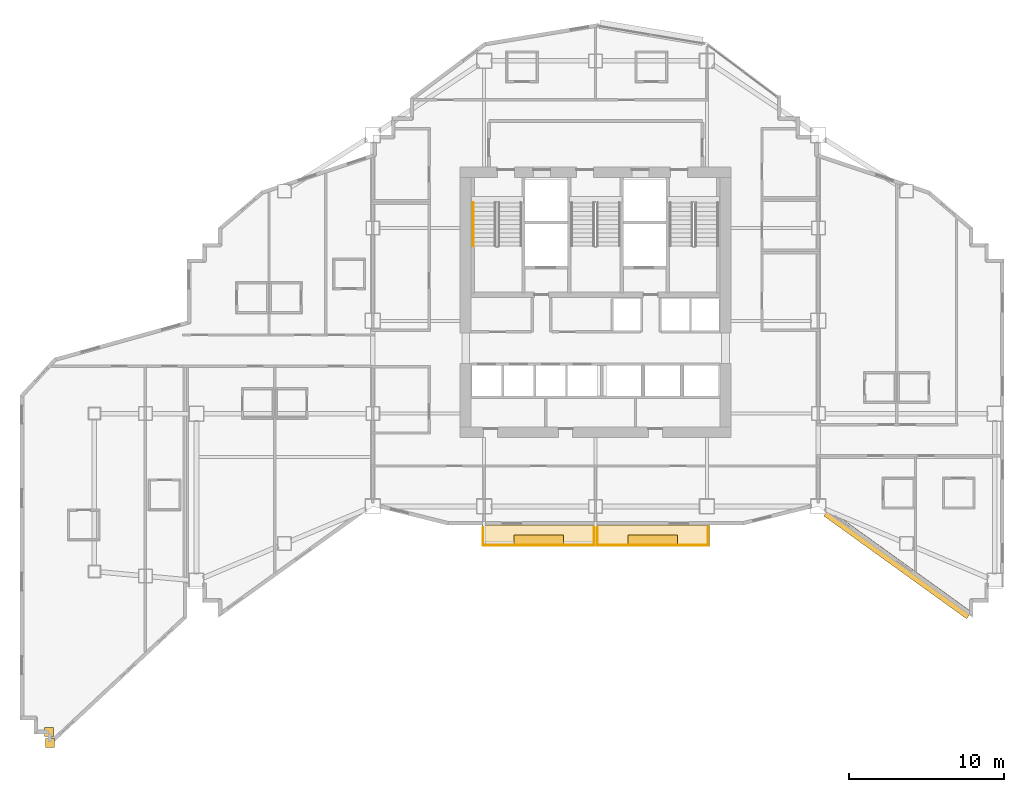
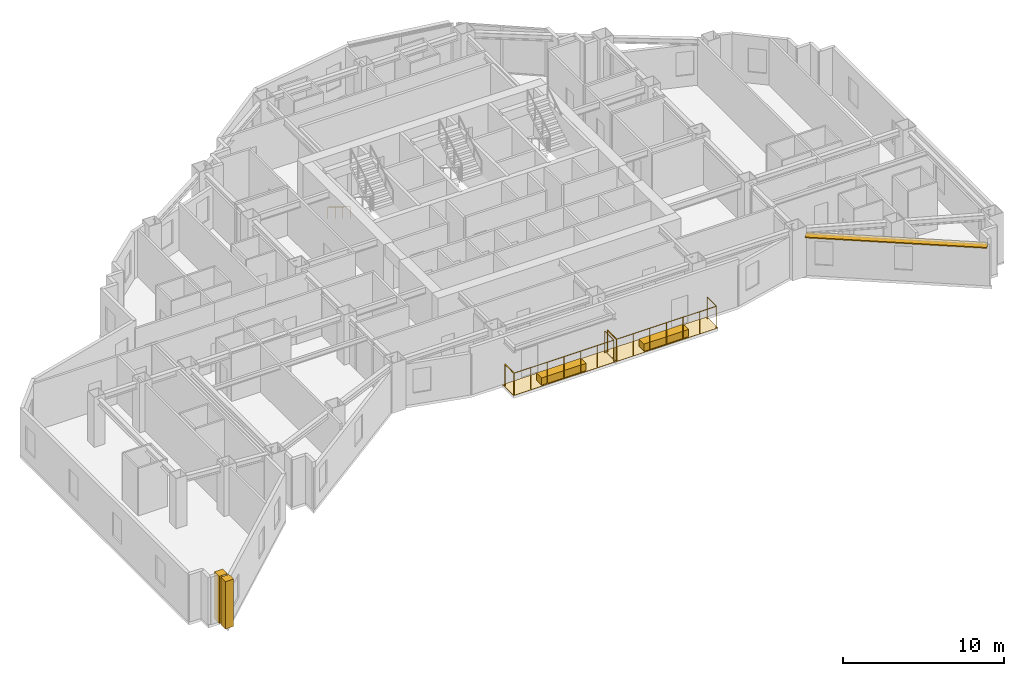
# One storey, part 13 of 14: 6 coverings, 5 railings, 1 shading device.
"""IFC4 building model written with IfcOpenShell, lengths in metres."""

from ifc_helpers import new_model, si_unit, direction, frame, origin, origin_2d, place, context, subcontext, project, spatial, polyline, rectangle, circle, outline, extrude, material, layer, layer_set, type_object, element, save


model = new_model("IFC4")

# Units and contexts
model_context = context("Model", 3, precision=1e-05, world=origin(), true_north=direction((0.0, 1.0)))
body_context = subcontext(model_context, "Body", "Model", "MODEL_VIEW")
ifc_project = project(units=[si_unit("LENGTHUNIT", "METRE"), si_unit("AREAUNIT", "SQUARE_METRE"), si_unit("VOLUMEUNIT", "CUBIC_METRE"), si_unit("PLANEANGLEUNIT", "RADIAN"), si_unit("MASSUNIT", "GRAM", prefix="KILO")], contexts=[model_context])

# Site, building, storey
site_placement = place(None, origin())
site = spatial("IfcSite", under=ifc_project, at=site_placement, CompositionType="ELEMENT")
building_placement = place(site_placement, origin())
building = spatial("IfcBuilding", under=site, at=building_placement, Name="Haolan Belvedere Tower", CompositionType="ELEMENT")
storey_placement = place(building_placement, frame((0.0, 0.0, 144.800048828125)))
storey = spatial("IfcBuildingStorey", under=building, at=storey_placement, Name="L36", CompositionType="ELEMENT", Elevation=144.800048828125)

# Coverings
ifc_material_1 = material(Name="Pale champagne-silver anodised aluminium rainscreen cladding", Category="aluminium")
ifc_layer_1 = layer(ifc_material_1, 0.034912109375, Name="Pale champagne-silver anodised aluminium rainscreen cladding")
ifc_layer_set_1 = layer_set([ifc_layer_1], Name="Pale champagne-silver anodised aluminium rainscreen cladding")
covering_type_1 = type_object("IfcCoveringType", Name="COV-CLAD-35", PredefinedType="CLADDING", material=ifc_layer_set_1)
for number, where, z_axis, x_axis, name in (
    (1, (3.077392578125, 7.02001953125, 0.0), (0.0, 0.0, 1.0), (1.0, 0.0, 0.0), "L36 pale-metal serrated corner cladding trim 1"),
    (2, (3.1201171875, 6.318603515625, 0.0), (0.0, 0.0, 1.0), (1.0, 0.0, 0.0), "L36 pale-metal serrated corner cladding trim 2"),
):
    element("IfcCovering", number, at=place(storey_placement, frame(where, z_axis=z_axis, x_axis=x_axis)), inside=storey, type_object=covering_type_1, Name=name, PredefinedType="CLADDING", context=body_context, shape_type="SweptSolid", body=[
        extrude(rectangle(XDim=0.580078125, YDim=0.580078125, at=origin_2d()), origin(), (0.0, 0.0, 1.0), 3.60009765625),
    ])
ifc_material_2 = material(Name="Engineered lightweight planted garden soil substrate", Category="masonry")
ifc_layer_2 = layer(ifc_material_2, 0.550048828125, Name="Engineered lightweight planted garden soil substrate")
ifc_layer_set_2 = layer_set([ifc_layer_2], Name="Engineered lightweight planted garden soil substrate")
covering_type_2 = type_object("IfcCoveringType", Name="COV-PLANT-550", PredefinedType="MEMBRANE", material=ifc_layer_set_2)
for number, where, z_axis, x_axis, name in (
    (3, (34.715087890625, 19.43994140625, 0.0), (0.0, 0.0, 1.0), (1.0, 0.0, 0.0), "L36 structural tree balcony PLANTER box 1"),
    (4, (42.0849609375, 19.43994140625, 0.0), (0.0, 0.0, 1.0), (1.0, 0.0, 0.0), "L36 structural tree balcony PLANTER box 2"),
):
    element("IfcCovering", number, at=place(storey_placement, frame(where, z_axis=z_axis, x_axis=x_axis)), inside=storey, type_object=covering_type_2, Name=name, PredefinedType="MEMBRANE", context=body_context, shape_type="SweptSolid", body=[
        extrude(rectangle(XDim=3.199951171875, YDim=0.64990234375, at=origin_2d()), origin(), (0.0, 0.0, 1.0), 0.550048828125),
    ])
ifc_material_3 = material(Name="Elastomeric waterproof roofing membrane and stone pavers", Category="masonry")
ifc_layer_3 = layer(ifc_material_3, 0.02001953125, Name="Elastomeric waterproof roofing membrane and stone pavers")
ifc_layer_set_3 = layer_set([ifc_layer_3], Name="Elastomeric waterproof roofing membrane and stone pavers")
covering_type_3 = type_object("IfcCoveringType", Name="COV-ROOF-20", PredefinedType="ROOFING", material=ifc_layer_set_3)
covering_1_placement = place(storey_placement, frame((0.0, 0.0, -0.02001953125)))
element("IfcCovering", 5, at=covering_1_placement, inside=storey, type_object=covering_type_3, Name="L36 tree-balcony waterproof membrane 1", PredefinedType="ROOFING", context=body_context, shape_type="SweptSolid", body=[
    extrude(outline(polyline([(31.050048828125, 19.02001953125), (38.3798828125, 19.02001953125), (38.3798828125, 20.39990234375), (31.050048828125, 20.39990234375), (31.050048828125, 19.02001953125)])), origin(), (0.0, 0.0, 1.0), 0.02001953125),
])
covering_2_placement = place(storey_placement, frame((0.0, 0.0, -0.02001953125)))
element("IfcCovering", 6, at=covering_2_placement, inside=storey, type_object=covering_type_3, Name="L36 tree-balcony waterproof membrane 2", PredefinedType="ROOFING", context=body_context, shape_type="SweptSolid", body=[
    extrude(outline(polyline([(38.419921875, 19.02001953125), (45.75, 19.02001953125), (45.75, 20.39990234375), (38.419921875, 20.39990234375), (38.419921875, 19.02001953125)])), origin(), (0.0, 0.0, 1.0), 0.02001953125),
])

# Railings
ifc_material_4 = material(Name="Brushed stainless steel 304", Category="steel")
railing_type_1 = type_object("IfcRailingType", Name="RL-STAIR-HND-900", PredefinedType="HANDRAIL", material=ifc_material_4)
railing_1_placement = place(storey_placement, frame((30.5, 41.22998046875, 0.172607421875)))
element("IfcRailing", 7, at=railing_1_placement, inside=storey, type_object=railing_type_1, Name="L36 ST1 stair handrail 1", PredefinedType="HANDRAIL", context=body_context, shape_type="SweptSolid", body=[
    extrude(circle(Radius=0.02392578125, at=origin_2d()), frame((0.0, 0.0, 0.8759765625), z_axis=(0.0, -0.851089632645, 0.525020415988), x_axis=(1.0, 0.0, 0.0)), (0.0, 0.0, 1.0), 3.2900390625),
    extrude(circle(Radius=0.02099609375, at=origin_2d()), origin(), (0.0, 0.0, 1.0), 0.851806640625),
    extrude(circle(Radius=0.02099609375, at=origin_2d()), frame((0.0, -0.933349609375, 0.57568359375)), (0.0, 0.0, 1.0), 0.851806640625),
    extrude(circle(Radius=0.02099609375, at=origin_2d()), frame((0.0, -1.86669921875, 1.151611328125)), (0.0, 0.0, 1.0), 0.851806640625),
    extrude(circle(Radius=0.02099609375, at=origin_2d()), frame((0.0, -2.800048828125, 1.727294921875)), (0.0, 0.0, 1.0), 0.851806640625),
])
ifc_material_5 = material(Name="Anodised aluminium and laminated glass balustrade", Category="aluminium")
railing_type_2 = type_object("IfcRailingType", Name="RL-TER-BAL-1150", PredefinedType="BALUSTRADE", material=ifc_material_5)
railing_2_placement = place(storey_placement, frame((31.1298828125, 19.10009765625, 0.0)))
element("IfcRailing", 8, at=railing_2_placement, inside=storey, type_object=railing_type_2, Name="L36 outdoor perimeter balustrade BAL-L36-1-1", PredefinedType="BALUSTRADE", context=body_context, shape_type="SweptSolid", body=[
    extrude(circle(Radius=0.02392578125, at=origin_2d()), frame((0.0, 0.0, 1.6259765625), z_axis=(0.0, 1.0, 0.0), x_axis=(-1.0, 0.0, 0.0)), (0.0, 0.0, 1.0), 1.119873046875),
    extrude(circle(Radius=0.02099609375, at=origin_2d()), origin(), (0.0, 0.0, 1.0), 1.601806640625),
    extrude(circle(Radius=0.02099609375, at=origin_2d()), frame((0.0, 1.119873046875, 0.0)), (0.0, 0.0, 1.0), 1.601806640625),
])
railing_3_placement = place(storey_placement, frame((38.300048828125, 20.219970703125, 0.0)))
element("IfcRailing", 9, at=railing_3_placement, inside=storey, type_object=railing_type_2, Name="L36 outdoor perimeter balustrade BAL-L36-1-2", PredefinedType="BALUSTRADE", context=body_context, shape_type="SweptSolid", body=[
    extrude(circle(Radius=0.02392578125, at=origin_2d()), frame((0.0, 0.0, 1.6259765625), z_axis=(0.0, -1.0, 0.0), x_axis=(1.0, 0.0, 0.0)), (0.0, 0.0, 1.0), 1.119873046875),
    extrude(circle(Radius=0.02392578125, at=origin_2d()), frame((0.0, -1.119873046875, 1.6259765625), z_axis=(-1.0, 0.0, 0.0), x_axis=(0.0, -1.0, 0.0)), (0.0, 0.0, 1.0), 7.170166015625),
    extrude(circle(Radius=0.02099609375, at=origin_2d()), origin(), (0.0, 0.0, 1.0), 1.601806640625),
    extrude(circle(Radius=0.02099609375, at=origin_2d()), frame((0.0, -1.119873046875, 0.0)), (0.0, 0.0, 1.0), 1.601806640625),
    extrude(circle(Radius=0.02099609375, at=origin_2d()), frame((-1.195068359375, -1.119873046875, 0.0)), (0.0, 0.0, 1.0), 1.601806640625),
    extrude(circle(Radius=0.02099609375, at=origin_2d()), frame((-2.39013671875, -1.119873046875, 0.0)), (0.0, 0.0, 1.0), 1.601806640625),
    extrude(circle(Radius=0.02099609375, at=origin_2d()), frame((-3.5849609375, -1.119873046875, 0.0)), (0.0, 0.0, 1.0), 1.601806640625),
    extrude(circle(Radius=0.02099609375, at=origin_2d()), frame((-4.780029296875, -1.119873046875, 0.0)), (0.0, 0.0, 1.0), 1.601806640625),
    extrude(circle(Radius=0.02099609375, at=origin_2d()), frame((-5.97509765625, -1.119873046875, 0.0)), (0.0, 0.0, 1.0), 1.601806640625),
    extrude(circle(Radius=0.02099609375, at=origin_2d()), frame((-7.170166015625, -1.119873046875, 0.0)), (0.0, 0.0, 1.0), 1.601806640625),
])
railing_4_placement = place(storey_placement, frame((38.5, 19.10009765625, 0.0)))
element("IfcRailing", 10, at=railing_4_placement, inside=storey, type_object=railing_type_2, Name="L36 outdoor perimeter balustrade BAL-L36-2-1", PredefinedType="BALUSTRADE", context=body_context, shape_type="SweptSolid", body=[
    extrude(circle(Radius=0.02392578125, at=origin_2d()), frame((0.0, 0.0, 1.6259765625), z_axis=(0.0, 1.0, 0.0), x_axis=(-1.0, 0.0, 0.0)), (0.0, 0.0, 1.0), 1.119873046875),
    extrude(circle(Radius=0.02099609375, at=origin_2d()), origin(), (0.0, 0.0, 1.0), 1.601806640625),
    extrude(circle(Radius=0.02099609375, at=origin_2d()), frame((0.0, 1.119873046875, 0.0)), (0.0, 0.0, 1.0), 1.601806640625),
])
railing_5_placement = place(storey_placement, frame((45.669921875, 20.219970703125, 0.0)))
element("IfcRailing", 11, at=railing_5_placement, inside=storey, type_object=railing_type_2, Name="L36 outdoor perimeter balustrade BAL-L36-2-2", PredefinedType="BALUSTRADE", context=body_context, shape_type="SweptSolid", body=[
    extrude(circle(Radius=0.02392578125, at=origin_2d()), frame((0.0, 0.0, 1.6259765625), z_axis=(0.0, -1.0, 0.0), x_axis=(1.0, 0.0, 0.0)), (0.0, 0.0, 1.0), 1.119873046875),
    extrude(circle(Radius=0.02392578125, at=origin_2d()), frame((0.0, -1.119873046875, 1.6259765625), z_axis=(-1.0, 0.0, 0.0), x_axis=(0.0, -1.0, 0.0)), (0.0, 0.0, 1.0), 7.169921875),
    extrude(circle(Radius=0.02099609375, at=origin_2d()), origin(), (0.0, 0.0, 1.0), 1.601806640625),
    extrude(circle(Radius=0.02099609375, at=origin_2d()), frame((0.0, -1.119873046875, 0.0)), (0.0, 0.0, 1.0), 1.601806640625),
    extrude(circle(Radius=0.02099609375, at=origin_2d()), frame((-1.195068359375, -1.119873046875, 0.0)), (0.0, 0.0, 1.0), 1.601806640625),
    extrude(circle(Radius=0.02099609375, at=origin_2d()), frame((-2.389892578125, -1.119873046875, 0.0)), (0.0, 0.0, 1.0), 1.601806640625),
    extrude(circle(Radius=0.02099609375, at=origin_2d()), frame((-3.5849609375, -1.119873046875, 0.0)), (0.0, 0.0, 1.0), 1.601806640625),
    extrude(circle(Radius=0.02099609375, at=origin_2d()), frame((-4.780029296875, -1.119873046875, 0.0)), (0.0, 0.0, 1.0), 1.601806640625),
    extrude(circle(Radius=0.02099609375, at=origin_2d()), frame((-5.974853515625, -1.119873046875, 0.0)), (0.0, 0.0, 1.0), 1.601806640625),
    extrude(circle(Radius=0.02099609375, at=origin_2d()), frame((-7.169921875, -1.119873046875, 0.0)), (0.0, 0.0, 1.0), 1.601806640625),
])

# Shading device
ifc_material_6 = material(Name="Anodised champagne-silver aluminium 6063-T6", Category="aluminium")
ifc_layer_4 = layer(ifc_material_6, 0.080078125, Name="Anodised champagne-silver aluminium 6063-T6")
ifc_layer_set_4 = layer_set([ifc_layer_4], Name="Anodised champagne-silver aluminium 6063-T6")
shading_device_type = type_object("IfcShadingDeviceType", Name="SHD-SUN-550", PredefinedType="USERDEFINED", material=ifc_layer_set_4)
shading_device_placement = place(storey_placement, frame((57.926513671875, 17.88427734375, 3.044921875), z_axis=(0.0, 0.0, 1.0), x_axis=(0.811533191666, -0.584306322766, 0.0)))
element("IfcShadingDevice", 12, at=shading_device_placement, inside=storey, type_object=shading_device_type, Name="L36 pale-metal horizontal SUNSHADE band 9.1", ObjectType="SUNSHADE", PredefinedType="USERDEFINED", context=body_context, shape_type="SweptSolid", body=[
    extrude(rectangle(XDim=11.383056640625, YDim=0.550048828125, at=origin_2d()), origin(), (0.0, 0.0, 1.0), 0.080078125),
])

save(model, "model.ifc")
